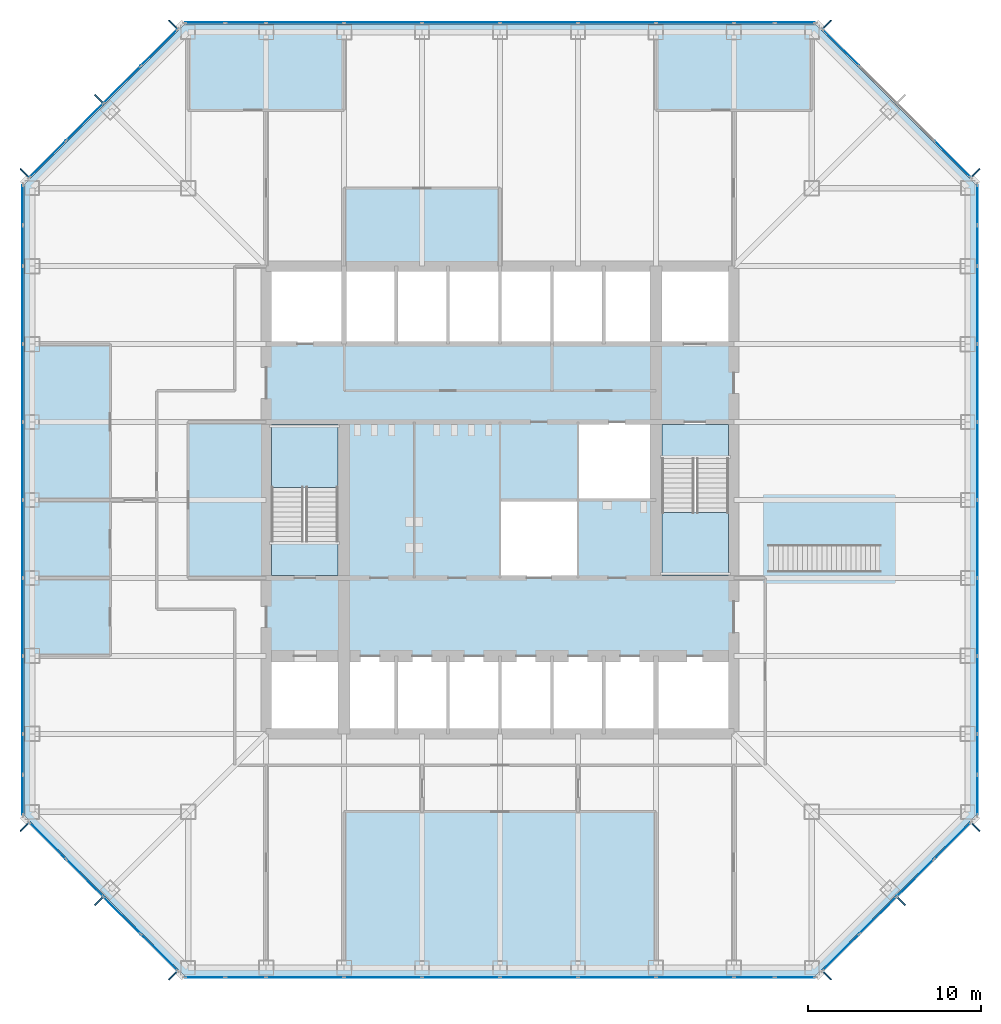
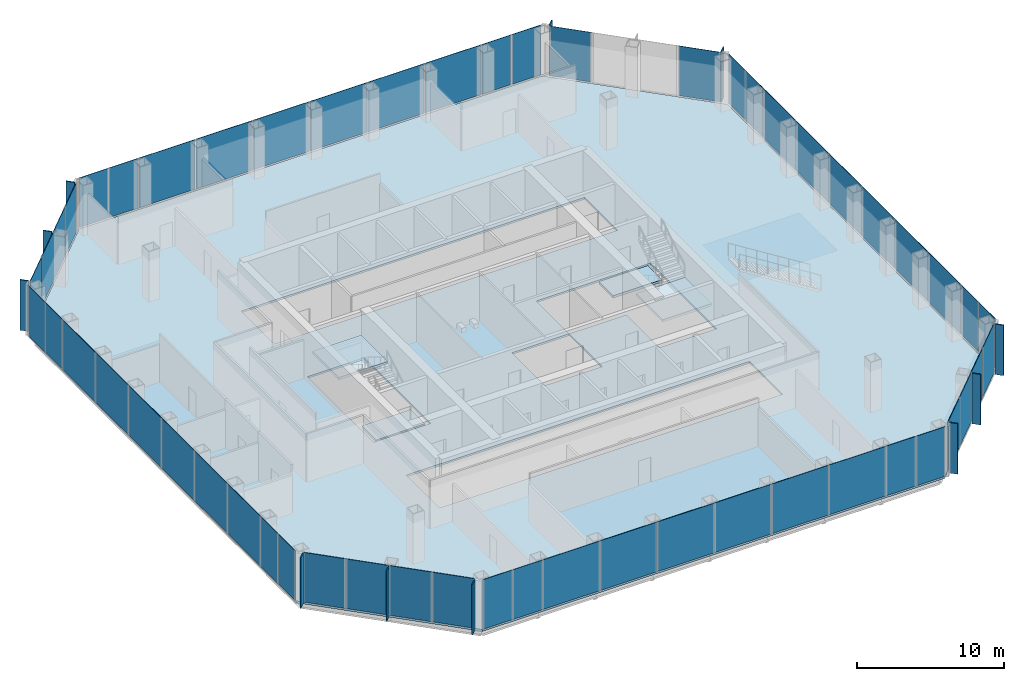
# One storey, part 7 of 12: 65 plates, 5 slabs, 10 elements without a shape of their own.
"""IFC4 building model written with IfcOpenShell, lengths in metres."""

from ifc_helpers import new_model, si_unit, direction, frame, origin, origin_2d, place, context, subcontext, project, spatial, polyline, rectangle, outline, extrude, material, layer, layer_set, type_object, element, aggregate, save


model = new_model("IFC4")

# Units and contexts
model_context = context("Model", 3, precision=1e-05, world=origin(), true_north=direction((0.0, 1.0)))
body_context = subcontext(model_context, "Body", "Model", "MODEL_VIEW")
ifc_project = project(units=[si_unit("LENGTHUNIT", "METRE"), si_unit("AREAUNIT", "SQUARE_METRE"), si_unit("VOLUMEUNIT", "CUBIC_METRE"), si_unit("PLANEANGLEUNIT", "RADIAN"), si_unit("MASSUNIT", "GRAM", prefix="KILO")], contexts=[model_context])

# Site, building, storey
site_placement = place(None, origin())
site = spatial("IfcSite", under=ifc_project, at=site_placement, CompositionType="ELEMENT")
building_placement = place(site_placement, origin())
building = spatial("IfcBuilding", under=site, at=building_placement, Name="Corais Broadcast Tower", CompositionType="ELEMENT")
storey_placement = place(building_placement, frame((0.0, 0.0, 29.0)))
storey = spatial("IfcBuildingStorey", under=building, at=storey_placement, Name="L05", CompositionType="ELEMENT", Elevation=29.0)

# Curtain wall, plates
ifc_material_1 = material(Name="Aluminium and glass", Category="aluminium")
curtain_wall_type = type_object("IfcCurtainWallType", Name="Newsroom clear-glass curtain wall CW7", PredefinedType="NOTDEFINED", material=ifc_material_1)
curtain_wall_1_placement = place(storey_placement, origin())
curtain_wall_1 = element("IfcCurtainWall", 1, at=curtain_wall_1_placement, inside=storey, type_object=curtain_wall_type, Name="CW7 curtain wall L05 1", PredefinedType="NOTDEFINED")
ifc_material_2 = material(Name="Clear low-iron laminated glass", Category="glass")
ifc_layer_1 = layer(ifc_material_2, 0.032958984375)
ifc_layer_set_1 = layer_set([ifc_layer_1], Name="Clear low-iron laminated glass")
plate_type_1 = type_object("IfcPlateType", Name="Clear glass panel CW7", PredefinedType="CURTAIN_PANEL", material=ifc_layer_set_1)
plate_1_placement = place(storey_placement, frame((7.330322265625, 0.891845703125, 0.06494140625), z_axis=(0.0, 0.0, 1.0), x_axis=(-0.707106781187, 0.707106781187, 0.0)))
plate_1 = element("IfcPlate", 2, at=plate_1_placement, type_object=plate_type_1, Name="CW7 panel 1", PredefinedType="CURTAIN_PANEL", context=body_context, shape_type="SweptSolid", body=[
    extrude(rectangle(XDim=2.9482421875, YDim=0.032958984375, at=origin_2d()), origin(), (0.0, 0.0, 1.0), 4.135009765625),
])
plate_2_placement = place(storey_placement, frame((3.0341796875, 5.18798828125, 0.06494140625), z_axis=(0.0, 0.0, 1.0), x_axis=(-0.707106781187, 0.707106781187, 0.0)))
plate_2 = element("IfcPlate", 3, at=plate_2_placement, type_object=plate_type_1, Name="CW7 panel 3", PredefinedType="CURTAIN_PANEL", context=body_context, shape_type="SweptSolid", body=[
    extrude(rectangle(XDim=2.98095703125, YDim=0.032958984375, at=origin_2d()), origin(), (0.0, 0.0, 1.0), 4.135009765625),
])

curtain_wall_2_placement = place(storey_placement, origin())
curtain_wall_2 = element("IfcCurtainWall", 4, at=curtain_wall_2_placement, inside=storey, type_object=curtain_wall_type, Name="CW7 curtain wall L05 2", PredefinedType="NOTDEFINED")
plate_3_placement = place(storey_placement, frame((-0.550048828125, 9.970458984375, 0.06494140625), z_axis=(0.0, 0.0, 1.0), x_axis=(0.0, 1.0, 0.0)))
plate_3 = element("IfcPlate", 5, at=plate_3_placement, type_object=plate_type_1, Name="CW7 panel 1", PredefinedType="CURTAIN_PANEL", context=body_context, shape_type="SweptSolid", body=[
    extrude(rectangle(XDim=2.266357421875, YDim=0.032958984375, at=origin_2d()), origin(), (0.0, 0.0, 1.0), 4.135009765625),
])
plate_4_placement = place(storey_placement, frame((-0.550048828125, 15.75, 0.06494140625), z_axis=(0.0, 0.0, 1.0), x_axis=(0.0, 1.0, 0.0)))
plate_4 = element("IfcPlate", 6, at=plate_4_placement, type_object=plate_type_1, Name="CW7 panel 3", PredefinedType="CURTAIN_PANEL", context=body_context, shape_type="SweptSolid", body=[
    extrude(rectangle(XDim=4.43505859375, YDim=0.032958984375, at=origin_2d()), origin(), (0.0, 0.0, 1.0), 4.135009765625),
])
plate_5_placement = place(storey_placement, frame((-0.550048828125, 24.75, 0.06494140625), z_axis=(0.0, 0.0, 1.0), x_axis=(0.0, 1.0, 0.0)))
plate_5 = element("IfcPlate", 7, at=plate_5_placement, type_object=plate_type_1, Name="CW7 panel 5", PredefinedType="CURTAIN_PANEL", context=body_context, shape_type="SweptSolid", body=[
    extrude(rectangle(XDim=4.43505859375, YDim=0.032958984375, at=origin_2d()), origin(), (0.0, 0.0, 1.0), 4.135009765625),
])
plate_6_placement = place(storey_placement, frame((-0.550048828125, 33.75, 0.06494140625), z_axis=(0.0, 0.0, 1.0), x_axis=(0.0, 1.0, 0.0)))
plate_6 = element("IfcPlate", 8, at=plate_6_placement, type_object=plate_type_1, Name="CW7 panel 7", PredefinedType="CURTAIN_PANEL", context=body_context, shape_type="SweptSolid", body=[
    extrude(rectangle(XDim=4.43505859375, YDim=0.032958984375, at=origin_2d()), origin(), (0.0, 0.0, 1.0), 4.135009765625),
])
plate_7_placement = place(storey_placement, frame((-0.550048828125, 41.681884765625, 0.06494140625), z_axis=(0.0, 0.0, 1.0), x_axis=(0.0, 1.0, 0.0)))
plate_7 = element("IfcPlate", 9, at=plate_7_placement, type_object=plate_type_1, Name="CW7 panel 9", PredefinedType="CURTAIN_PANEL", context=body_context, shape_type="SweptSolid", body=[
    extrude(rectangle(XDim=2.298828125, YDim=0.032958984375, at=origin_2d()), origin(), (0.0, 0.0, 1.0), 4.135009765625),
])

curtain_wall_3_placement = place(storey_placement, origin())
curtain_wall_3 = element("IfcCurtainWall", 10, at=curtain_wall_3_placement, inside=storey, type_object=curtain_wall_type, Name="CW7 curtain wall L05 3", PredefinedType="NOTDEFINED")
plate_8_placement = place(storey_placement, frame((0.891845703125, 46.669677734375, 0.06494140625), z_axis=(0.0, 0.0, 1.0), x_axis=(0.707106781187, 0.707106781187, 0.0)))
plate_8 = element("IfcPlate", 11, at=plate_8_placement, type_object=plate_type_1, Name="CW7 panel 1", PredefinedType="CURTAIN_PANEL", context=body_context, shape_type="SweptSolid", body=[
    extrude(rectangle(XDim=2.9482421875, YDim=0.032958984375, at=origin_2d()), origin(), (0.0, 0.0, 1.0), 4.135009765625),
])
plate_9_placement = place(storey_placement, frame((5.18798828125, 50.9658203125, 0.06494140625), z_axis=(0.0, 0.0, 1.0), x_axis=(0.707106781187, 0.707106781187, 0.0)))
plate_9 = element("IfcPlate", 12, at=plate_9_placement, type_object=plate_type_1, Name="CW7 panel 3", PredefinedType="CURTAIN_PANEL", context=body_context, shape_type="SweptSolid", body=[
    extrude(rectangle(XDim=2.98095703125, YDim=0.032958984375, at=origin_2d()), origin(), (0.0, 0.0, 1.0), 4.135009765625),
])

curtain_wall_4_placement = place(storey_placement, origin())
curtain_wall_4 = element("IfcCurtainWall", 13, at=curtain_wall_4_placement, inside=storey, type_object=curtain_wall_type, Name="CW7 curtain wall L05 4", PredefinedType="NOTDEFINED")
plate_10_placement = place(storey_placement, frame((9.970458984375, 54.550048828125, 0.06494140625), z_axis=(0.0, 0.0, 1.0), x_axis=(1.0, 0.0, 0.0)))
plate_10 = element("IfcPlate", 14, at=plate_10_placement, type_object=plate_type_1, Name="CW7 panel 1", PredefinedType="CURTAIN_PANEL", context=body_context, shape_type="SweptSolid", body=[
    extrude(rectangle(XDim=2.266357421875, YDim=0.032958984375, at=origin_2d()), origin(), (0.0, 0.0, 1.0), 4.135009765625),
])
plate_11_placement = place(storey_placement, frame((15.75, 54.550048828125, 0.06494140625), z_axis=(0.0, 0.0, 1.0), x_axis=(1.0, 0.0, 0.0)))
plate_11 = element("IfcPlate", 15, at=plate_11_placement, type_object=plate_type_1, Name="CW7 panel 3", PredefinedType="CURTAIN_PANEL", context=body_context, shape_type="SweptSolid", body=[
    extrude(rectangle(XDim=4.43505859375, YDim=0.032958984375, at=origin_2d()), origin(), (0.0, 0.0, 1.0), 4.135009765625),
])
plate_12_placement = place(storey_placement, frame((24.75, 54.550048828125, 0.06494140625), z_axis=(0.0, 0.0, 1.0), x_axis=(1.0, 0.0, 0.0)))
plate_12 = element("IfcPlate", 16, at=plate_12_placement, type_object=plate_type_1, Name="CW7 panel 5", PredefinedType="CURTAIN_PANEL", context=body_context, shape_type="SweptSolid", body=[
    extrude(rectangle(XDim=4.43505859375, YDim=0.032958984375, at=origin_2d()), origin(), (0.0, 0.0, 1.0), 4.135009765625),
])
plate_13_placement = place(storey_placement, frame((33.75, 54.550048828125, 0.06494140625), z_axis=(0.0, 0.0, 1.0), x_axis=(1.0, 0.0, 0.0)))
plate_13 = element("IfcPlate", 17, at=plate_13_placement, type_object=plate_type_1, Name="CW7 panel 7", PredefinedType="CURTAIN_PANEL", context=body_context, shape_type="SweptSolid", body=[
    extrude(rectangle(XDim=4.43505859375, YDim=0.032958984375, at=origin_2d()), origin(), (0.0, 0.0, 1.0), 4.135009765625),
])
plate_14_placement = place(storey_placement, frame((41.681884765625, 54.550048828125, 0.06494140625), z_axis=(0.0, 0.0, 1.0), x_axis=(1.0, 0.0, 0.0)))
plate_14 = element("IfcPlate", 18, at=plate_14_placement, type_object=plate_type_1, Name="CW7 panel 9", PredefinedType="CURTAIN_PANEL", context=body_context, shape_type="SweptSolid", body=[
    extrude(rectangle(XDim=2.298828125, YDim=0.032958984375, at=origin_2d()), origin(), (0.0, 0.0, 1.0), 4.135009765625),
])

# Curtain wall, plate
curtain_wall_5_placement = place(storey_placement, origin())
curtain_wall_5 = element("IfcCurtainWall", 19, at=curtain_wall_5_placement, inside=storey, type_object=curtain_wall_type, Name="CW7 curtain wall L05 5", PredefinedType="NOTDEFINED")
plate_15_placement = place(storey_placement, frame((46.669677734375, 53.108154296875, 0.06494140625), z_axis=(0.0, 0.0, 1.0), x_axis=(0.707106781187, -0.707106781187, 0.0)))
plate_15 = element("IfcPlate", 20, at=plate_15_placement, type_object=plate_type_1, Name="CW7 panel 1", PredefinedType="CURTAIN_PANEL", context=body_context, shape_type="SweptSolid", body=[
    extrude(rectangle(XDim=2.9482421875, YDim=0.032958984375, at=origin_2d()), origin(), (0.0, 0.0, 1.0), 4.135009765625),
])

# Curtain wall, plates
curtain_wall_6_placement = place(storey_placement, origin())
curtain_wall_6 = element("IfcCurtainWall", 21, at=curtain_wall_6_placement, inside=storey, type_object=curtain_wall_type, Name="CW7 curtain wall L05 6", PredefinedType="NOTDEFINED")
plate_16_placement = place(storey_placement, frame((54.550048828125, 44.029541015625, 0.06494140625), z_axis=(0.0, 0.0, 1.0), x_axis=(0.0, -1.0, 0.0)))
plate_16 = element("IfcPlate", 22, at=plate_16_placement, type_object=plate_type_1, Name="CW7 panel 1", PredefinedType="CURTAIN_PANEL", context=body_context, shape_type="SweptSolid", body=[
    extrude(rectangle(XDim=2.266357421875, YDim=0.032958984375, at=origin_2d()), origin(), (0.0, 0.0, 1.0), 4.135009765625),
])
plate_17_placement = place(storey_placement, frame((54.550048828125, 38.25, 0.06494140625), z_axis=(0.0, 0.0, 1.0), x_axis=(0.0, -1.0, 0.0)))
plate_17 = element("IfcPlate", 23, at=plate_17_placement, type_object=plate_type_1, Name="CW7 panel 3", PredefinedType="CURTAIN_PANEL", context=body_context, shape_type="SweptSolid", body=[
    extrude(rectangle(XDim=4.43505859375, YDim=0.032958984375, at=origin_2d()), origin(), (0.0, 0.0, 1.0), 4.135009765625),
])
plate_18_placement = place(storey_placement, frame((54.550048828125, 29.25, 0.06494140625), z_axis=(0.0, 0.0, 1.0), x_axis=(0.0, -1.0, 0.0)))
plate_18 = element("IfcPlate", 24, at=plate_18_placement, type_object=plate_type_1, Name="CW7 panel 5", PredefinedType="CURTAIN_PANEL", context=body_context, shape_type="SweptSolid", body=[
    extrude(rectangle(XDim=4.43505859375, YDim=0.032958984375, at=origin_2d()), origin(), (0.0, 0.0, 1.0), 4.135009765625),
])
plate_19_placement = place(storey_placement, frame((54.550048828125, 20.25, 0.06494140625), z_axis=(0.0, 0.0, 1.0), x_axis=(0.0, -1.0, 0.0)))
plate_19 = element("IfcPlate", 25, at=plate_19_placement, type_object=plate_type_1, Name="CW7 panel 7", PredefinedType="CURTAIN_PANEL", context=body_context, shape_type="SweptSolid", body=[
    extrude(rectangle(XDim=4.43505859375, YDim=0.032958984375, at=origin_2d()), origin(), (0.0, 0.0, 1.0), 4.135009765625),
])
plate_20_placement = place(storey_placement, frame((54.550048828125, 12.318115234375, 0.06494140625), z_axis=(0.0, 0.0, 1.0), x_axis=(0.0, -1.0, 0.0)))
plate_20 = element("IfcPlate", 26, at=plate_20_placement, type_object=plate_type_1, Name="CW7 panel 9", PredefinedType="CURTAIN_PANEL", context=body_context, shape_type="SweptSolid", body=[
    extrude(rectangle(XDim=2.298828125, YDim=0.032958984375, at=origin_2d()), origin(), (0.0, 0.0, 1.0), 4.135009765625),
])

curtain_wall_7_placement = place(storey_placement, origin())
curtain_wall_7 = element("IfcCurtainWall", 27, at=curtain_wall_7_placement, inside=storey, type_object=curtain_wall_type, Name="CW7 curtain wall L05 7", PredefinedType="NOTDEFINED")
plate_21_placement = place(storey_placement, frame((53.108154296875, 7.330322265625, 0.06494140625), z_axis=(0.0, 0.0, 1.0), x_axis=(-0.707106781187, -0.707106781187, 0.0)))
plate_21 = element("IfcPlate", 28, at=plate_21_placement, type_object=plate_type_1, Name="CW7 panel 1", PredefinedType="CURTAIN_PANEL", context=body_context, shape_type="SweptSolid", body=[
    extrude(rectangle(XDim=2.9482421875, YDim=0.032958984375, at=origin_2d()), origin(), (0.0, 0.0, 1.0), 4.135009765625),
])
plate_22_placement = place(storey_placement, frame((48.81201171875, 3.0341796875, 0.06494140625), z_axis=(0.0, 0.0, 1.0), x_axis=(-0.707106781187, -0.707106781187, 0.0)))
plate_22 = element("IfcPlate", 29, at=plate_22_placement, type_object=plate_type_1, Name="CW7 panel 3", PredefinedType="CURTAIN_PANEL", context=body_context, shape_type="SweptSolid", body=[
    extrude(rectangle(XDim=2.98095703125, YDim=0.032958984375, at=origin_2d()), origin(), (0.0, 0.0, 1.0), 4.135009765625),
])

curtain_wall_8_placement = place(storey_placement, origin())
curtain_wall_8 = element("IfcCurtainWall", 30, at=curtain_wall_8_placement, inside=storey, type_object=curtain_wall_type, Name="CW7 curtain wall L05 8", PredefinedType="NOTDEFINED")
plate_23_placement = place(storey_placement, frame((44.029541015625, -0.550048828125, 0.06494140625), z_axis=(0.0, 0.0, 1.0), x_axis=(-1.0, 0.0, 0.0)))
plate_23 = element("IfcPlate", 31, at=plate_23_placement, type_object=plate_type_1, Name="CW7 panel 1", PredefinedType="CURTAIN_PANEL", context=body_context, shape_type="SweptSolid", body=[
    extrude(rectangle(XDim=2.266357421875, YDim=0.032958984375, at=origin_2d()), origin(), (0.0, 0.0, 1.0), 4.135009765625),
])
plate_24_placement = place(storey_placement, frame((38.25, -0.550048828125, 0.06494140625), z_axis=(0.0, 0.0, 1.0), x_axis=(-1.0, 0.0, 0.0)))
plate_24 = element("IfcPlate", 32, at=plate_24_placement, type_object=plate_type_1, Name="CW7 panel 3", PredefinedType="CURTAIN_PANEL", context=body_context, shape_type="SweptSolid", body=[
    extrude(rectangle(XDim=4.43505859375, YDim=0.032958984375, at=origin_2d()), origin(), (0.0, 0.0, 1.0), 4.135009765625),
])
plate_25_placement = place(storey_placement, frame((29.25, -0.550048828125, 0.06494140625), z_axis=(0.0, 0.0, 1.0), x_axis=(-1.0, 0.0, 0.0)))
plate_25 = element("IfcPlate", 33, at=plate_25_placement, type_object=plate_type_1, Name="CW7 panel 5", PredefinedType="CURTAIN_PANEL", context=body_context, shape_type="SweptSolid", body=[
    extrude(rectangle(XDim=4.43505859375, YDim=0.032958984375, at=origin_2d()), origin(), (0.0, 0.0, 1.0), 4.135009765625),
])
plate_26_placement = place(storey_placement, frame((20.25, -0.550048828125, 0.06494140625), z_axis=(0.0, 0.0, 1.0), x_axis=(-1.0, 0.0, 0.0)))
plate_26 = element("IfcPlate", 34, at=plate_26_placement, type_object=plate_type_1, Name="CW7 panel 7", PredefinedType="CURTAIN_PANEL", context=body_context, shape_type="SweptSolid", body=[
    extrude(rectangle(XDim=4.43505859375, YDim=0.032958984375, at=origin_2d()), origin(), (0.0, 0.0, 1.0), 4.135009765625),
])
plate_27_placement = place(storey_placement, frame((12.318115234375, -0.550048828125, 0.06494140625), z_axis=(0.0, 0.0, 1.0), x_axis=(-1.0, 0.0, 0.0)))
plate_27 = element("IfcPlate", 35, at=plate_27_placement, type_object=plate_type_1, Name="CW7 panel 9", PredefinedType="CURTAIN_PANEL", context=body_context, shape_type="SweptSolid", body=[
    extrude(rectangle(XDim=2.298828125, YDim=0.032958984375, at=origin_2d()), origin(), (0.0, 0.0, 1.0), 4.135009765625),
])

# Slab
ifc_material_3 = material(Name="Concrete C30/37", Category="concrete")
ifc_layer_2 = layer(ifc_material_3, 0.159912109375)
ifc_layer_set_2 = layer_set([ifc_layer_2], Name="Concrete C30/37")
slab_type_1 = type_object("IfcSlabType", Name="Composite floor slab 160", PredefinedType="FLOOR", material=ifc_layer_set_2)
slab_1_placement = place(storey_placement, frame((0.0, 0.0, -0.159912109375)))
element("IfcSlab", 36, at=slab_1_placement, inside=storey, type_object=slab_type_1, Name="S160 floor slab L05", PredefinedType="FLOOR", context=body_context, shape_type="SweptSolid", body=[
    extrude(outline(polyline([(8.80126953125, -0.47998046875), (-0.47998046875, 8.80126953125), (-0.47998046875, 45.19873046875), (8.80126953125, 54.47998046875), (45.19873046875, 54.47998046875), (54.47998046875, 45.19873046875), (54.47998046875, 8.80126953125), (45.19873046875, -0.47998046875), (8.80126953125, -0.47998046875)]), holes=[polyline([(13.5, 18.0), (40.5, 18.0), (40.5, 13.5), (13.5, 13.5), (13.5, 18.0)]), polyline([(13.5, 22.5), (13.5, 31.5), (18.0, 31.5), (18.0, 22.5), (13.5, 22.5)]), polyline([(13.5, 40.5), (40.5, 40.5), (40.5, 36.0), (13.5, 36.0), (13.5, 40.5)]), polyline([(27.0, 22.5), (27.0, 27.0), (31.4951171875, 27.0), (31.4951171875, 27.0048828125), (31.5, 27.0048828125), (31.5, 31.5), (40.5, 31.5), (40.5, 22.5), (36.0, 22.5), (36.0, 27.0), (31.5048828125, 27.0), (31.5048828125, 26.9951171875), (31.5, 26.9951171875), (31.5, 22.5), (27.0, 22.5)])]), origin(), (0.0, 0.0, 1.0), 0.159912109375),
])

# Plate
ifc_material_4 = material(Name="Clear laminated glass", Category="glass")
ifc_layer_3 = layer(ifc_material_4, 0.037109375)
ifc_layer_set_3 = layer_set([ifc_layer_3], Name="Clear laminated glass")
plate_type_2 = type_object("IfcPlateType", Name="Operable glass panel CW7", PredefinedType="CURTAIN_PANEL", material=ifc_layer_set_3)
plate_28_placement = place(storey_placement, frame((5.18798828125, 3.0341796875, 0.06494140625), z_axis=(0.0, 0.0, 1.0), x_axis=(-0.707106781187, 0.707106781187, 0.0)))
plate_28 = element("IfcPlate", 37, at=plate_28_placement, type_object=plate_type_2, Name="CW7 operable panel 2", PredefinedType="CURTAIN_PANEL", context=body_context, shape_type="SweptSolid", body=[
    extrude(rectangle(XDim=2.98095703125, YDim=0.037109375, at=origin_2d()), origin(), (0.0, 0.0, 1.0), 4.135009765625),
])

plate_29_placement = place(storey_placement, frame((0.89208984375, 7.330322265625, 0.06494140625), z_axis=(0.0, 0.0, 1.0), x_axis=(-0.707106781187, 0.707106781187, 0.0)))
plate_29 = element("IfcPlate", 38, at=plate_29_placement, type_object=plate_type_2, Name="CW7 operable panel 4", PredefinedType="CURTAIN_PANEL", context=body_context, shape_type="SweptSolid", body=[
    extrude(rectangle(XDim=2.948486328125, YDim=0.037109375, at=origin_2d()), origin(), (0.0, 0.0, 1.0), 4.135009765625),
])

aggregate(curtain_wall_1, [plate_1, plate_28, plate_2, plate_29])

plate_30_placement = place(storey_placement, frame((-0.550048828125, 12.318115234375, 0.06494140625), z_axis=(0.0, 0.0, 1.0), x_axis=(0.0, 1.0, 0.0)))
plate_30 = element("IfcPlate", 39, at=plate_30_placement, type_object=plate_type_2, Name="CW7 operable panel 2", PredefinedType="CURTAIN_PANEL", context=body_context, shape_type="SweptSolid", body=[
    extrude(rectangle(XDim=2.298828125, YDim=0.037109375, at=origin_2d()), origin(), (0.0, 0.0, 1.0), 4.135009765625),
])

plate_31_placement = place(storey_placement, frame((-0.550048828125, 20.25, 0.06494140625), z_axis=(0.0, 0.0, 1.0), x_axis=(0.0, 1.0, 0.0)))
plate_31 = element("IfcPlate", 40, at=plate_31_placement, type_object=plate_type_2, Name="CW7 operable panel 4", PredefinedType="CURTAIN_PANEL", context=body_context, shape_type="SweptSolid", body=[
    extrude(rectangle(XDim=4.43505859375, YDim=0.037109375, at=origin_2d()), origin(), (0.0, 0.0, 1.0), 4.135009765625),
])

plate_32_placement = place(storey_placement, frame((-0.550048828125, 29.25, 0.06494140625), z_axis=(0.0, 0.0, 1.0), x_axis=(0.0, 1.0, 0.0)))
plate_32 = element("IfcPlate", 41, at=plate_32_placement, type_object=plate_type_2, Name="CW7 operable panel 6", PredefinedType="CURTAIN_PANEL", context=body_context, shape_type="SweptSolid", body=[
    extrude(rectangle(XDim=4.43505859375, YDim=0.037109375, at=origin_2d()), origin(), (0.0, 0.0, 1.0), 4.135009765625),
])

plate_33_placement = place(storey_placement, frame((-0.550048828125, 38.25, 0.06494140625), z_axis=(0.0, 0.0, 1.0), x_axis=(0.0, 1.0, 0.0)))
plate_33 = element("IfcPlate", 42, at=plate_33_placement, type_object=plate_type_2, Name="CW7 operable panel 8", PredefinedType="CURTAIN_PANEL", context=body_context, shape_type="SweptSolid", body=[
    extrude(rectangle(XDim=4.43505859375, YDim=0.037109375, at=origin_2d()), origin(), (0.0, 0.0, 1.0), 4.135009765625),
])

plate_34_placement = place(storey_placement, frame((-0.550048828125, 44.029541015625, 0.06494140625), z_axis=(0.0, 0.0, 1.0), x_axis=(0.0, 1.0, 0.0)))
plate_34 = element("IfcPlate", 43, at=plate_34_placement, type_object=plate_type_2, Name="CW7 operable panel 10", PredefinedType="CURTAIN_PANEL", context=body_context, shape_type="SweptSolid", body=[
    extrude(rectangle(XDim=2.266357421875, YDim=0.037109375, at=origin_2d()), origin(), (0.0, 0.0, 1.0), 4.135009765625),
])

aggregate(curtain_wall_2, [plate_3, plate_30, plate_4, plate_31, plate_5, plate_32, plate_6, plate_33, plate_7, plate_34])

plate_35_placement = place(storey_placement, frame((3.0341796875, 48.81201171875, 0.06494140625), z_axis=(0.0, 0.0, 1.0), x_axis=(0.707106781187, 0.707106781187, 0.0)))
plate_35 = element("IfcPlate", 44, at=plate_35_placement, type_object=plate_type_2, Name="CW7 operable panel 2", PredefinedType="CURTAIN_PANEL", context=body_context, shape_type="SweptSolid", body=[
    extrude(rectangle(XDim=2.98095703125, YDim=0.037109375, at=origin_2d()), origin(), (0.0, 0.0, 1.0), 4.135009765625),
])

plate_36_placement = place(storey_placement, frame((7.330322265625, 53.10791015625, 0.06494140625), z_axis=(0.0, 0.0, 1.0), x_axis=(0.707106781187, 0.707106781187, 0.0)))
plate_36 = element("IfcPlate", 45, at=plate_36_placement, type_object=plate_type_2, Name="CW7 operable panel 4", PredefinedType="CURTAIN_PANEL", context=body_context, shape_type="SweptSolid", body=[
    extrude(rectangle(XDim=2.948486328125, YDim=0.037109375, at=origin_2d()), origin(), (0.0, 0.0, 1.0), 4.135009765625),
])

aggregate(curtain_wall_3, [plate_8, plate_35, plate_9, plate_36])

plate_37_placement = place(storey_placement, frame((12.318115234375, 54.550048828125, 0.06494140625), z_axis=(0.0, 0.0, 1.0), x_axis=(1.0, 0.0, 0.0)))
plate_37 = element("IfcPlate", 46, at=plate_37_placement, type_object=plate_type_2, Name="CW7 operable panel 2", PredefinedType="CURTAIN_PANEL", context=body_context, shape_type="SweptSolid", body=[
    extrude(rectangle(XDim=2.298828125, YDim=0.037109375, at=origin_2d()), origin(), (0.0, 0.0, 1.0), 4.135009765625),
])

plate_38_placement = place(storey_placement, frame((20.25, 54.550048828125, 0.06494140625), z_axis=(0.0, 0.0, 1.0), x_axis=(1.0, 0.0, 0.0)))
plate_38 = element("IfcPlate", 47, at=plate_38_placement, type_object=plate_type_2, Name="CW7 operable panel 4", PredefinedType="CURTAIN_PANEL", context=body_context, shape_type="SweptSolid", body=[
    extrude(rectangle(XDim=4.43505859375, YDim=0.037109375, at=origin_2d()), origin(), (0.0, 0.0, 1.0), 4.135009765625),
])

plate_39_placement = place(storey_placement, frame((29.25, 54.550048828125, 0.06494140625), z_axis=(0.0, 0.0, 1.0), x_axis=(1.0, 0.0, 0.0)))
plate_39 = element("IfcPlate", 48, at=plate_39_placement, type_object=plate_type_2, Name="CW7 operable panel 6", PredefinedType="CURTAIN_PANEL", context=body_context, shape_type="SweptSolid", body=[
    extrude(rectangle(XDim=4.43505859375, YDim=0.037109375, at=origin_2d()), origin(), (0.0, 0.0, 1.0), 4.135009765625),
])

plate_40_placement = place(storey_placement, frame((38.25, 54.550048828125, 0.06494140625), z_axis=(0.0, 0.0, 1.0), x_axis=(1.0, 0.0, 0.0)))
plate_40 = element("IfcPlate", 49, at=plate_40_placement, type_object=plate_type_2, Name="CW7 operable panel 8", PredefinedType="CURTAIN_PANEL", context=body_context, shape_type="SweptSolid", body=[
    extrude(rectangle(XDim=4.43505859375, YDim=0.037109375, at=origin_2d()), origin(), (0.0, 0.0, 1.0), 4.135009765625),
])

plate_41_placement = place(storey_placement, frame((44.029541015625, 54.550048828125, 0.06494140625), z_axis=(0.0, 0.0, 1.0), x_axis=(1.0, 0.0, 0.0)))
plate_41 = element("IfcPlate", 50, at=plate_41_placement, type_object=plate_type_2, Name="CW7 operable panel 10", PredefinedType="CURTAIN_PANEL", context=body_context, shape_type="SweptSolid", body=[
    extrude(rectangle(XDim=2.266357421875, YDim=0.037109375, at=origin_2d()), origin(), (0.0, 0.0, 1.0), 4.135009765625),
])

aggregate(curtain_wall_4, [plate_10, plate_37, plate_11, plate_38, plate_12, plate_39, plate_13, plate_40, plate_14, plate_41])

plate_42_placement = place(storey_placement, frame((53.10791015625, 46.669677734375, 0.06494140625), z_axis=(0.0, 0.0, 1.0), x_axis=(0.707106781187, -0.707106781187, 0.0)))
plate_42 = element("IfcPlate", 51, at=plate_42_placement, type_object=plate_type_2, Name="CW7 operable panel 4", PredefinedType="CURTAIN_PANEL", context=body_context, shape_type="SweptSolid", body=[
    extrude(rectangle(XDim=2.948486328125, YDim=0.037109375, at=origin_2d()), origin(), (0.0, 0.0, 1.0), 4.135009765625),
])

aggregate(curtain_wall_5, [plate_15, plate_42])

plate_43_placement = place(storey_placement, frame((54.550048828125, 41.681884765625, 0.06494140625), z_axis=(0.0, 0.0, 1.0), x_axis=(0.0, -1.0, 0.0)))
plate_43 = element("IfcPlate", 52, at=plate_43_placement, type_object=plate_type_2, Name="CW7 operable panel 2", PredefinedType="CURTAIN_PANEL", context=body_context, shape_type="SweptSolid", body=[
    extrude(rectangle(XDim=2.298828125, YDim=0.037109375, at=origin_2d()), origin(), (0.0, 0.0, 1.0), 4.135009765625),
])

plate_44_placement = place(storey_placement, frame((54.550048828125, 33.75, 0.06494140625), z_axis=(0.0, 0.0, 1.0), x_axis=(0.0, -1.0, 0.0)))
plate_44 = element("IfcPlate", 53, at=plate_44_placement, type_object=plate_type_2, Name="CW7 operable panel 4", PredefinedType="CURTAIN_PANEL", context=body_context, shape_type="SweptSolid", body=[
    extrude(rectangle(XDim=4.43505859375, YDim=0.037109375, at=origin_2d()), origin(), (0.0, 0.0, 1.0), 4.135009765625),
])

plate_45_placement = place(storey_placement, frame((54.550048828125, 24.75, 0.06494140625), z_axis=(0.0, 0.0, 1.0), x_axis=(0.0, -1.0, 0.0)))
plate_45 = element("IfcPlate", 54, at=plate_45_placement, type_object=plate_type_2, Name="CW7 operable panel 6", PredefinedType="CURTAIN_PANEL", context=body_context, shape_type="SweptSolid", body=[
    extrude(rectangle(XDim=4.43505859375, YDim=0.037109375, at=origin_2d()), origin(), (0.0, 0.0, 1.0), 4.135009765625),
])

plate_46_placement = place(storey_placement, frame((54.550048828125, 15.75, 0.06494140625), z_axis=(0.0, 0.0, 1.0), x_axis=(0.0, -1.0, 0.0)))
plate_46 = element("IfcPlate", 55, at=plate_46_placement, type_object=plate_type_2, Name="CW7 operable panel 8", PredefinedType="CURTAIN_PANEL", context=body_context, shape_type="SweptSolid", body=[
    extrude(rectangle(XDim=4.43505859375, YDim=0.037109375, at=origin_2d()), origin(), (0.0, 0.0, 1.0), 4.135009765625),
])

plate_47_placement = place(storey_placement, frame((54.550048828125, 9.970458984375, 0.06494140625), z_axis=(0.0, 0.0, 1.0), x_axis=(0.0, -1.0, 0.0)))
plate_47 = element("IfcPlate", 56, at=plate_47_placement, type_object=plate_type_2, Name="CW7 operable panel 10", PredefinedType="CURTAIN_PANEL", context=body_context, shape_type="SweptSolid", body=[
    extrude(rectangle(XDim=2.266357421875, YDim=0.037109375, at=origin_2d()), origin(), (0.0, 0.0, 1.0), 4.135009765625),
])

aggregate(curtain_wall_6, [plate_16, plate_43, plate_17, plate_44, plate_18, plate_45, plate_19, plate_46, plate_20, plate_47])

plate_48_placement = place(storey_placement, frame((50.9658203125, 5.18798828125, 0.06494140625), z_axis=(0.0, 0.0, 1.0), x_axis=(-0.707106781187, -0.707106781187, 0.0)))
plate_48 = element("IfcPlate", 57, at=plate_48_placement, type_object=plate_type_2, Name="CW7 operable panel 2", PredefinedType="CURTAIN_PANEL", context=body_context, shape_type="SweptSolid", body=[
    extrude(rectangle(XDim=2.98095703125, YDim=0.037109375, at=origin_2d()), origin(), (0.0, 0.0, 1.0), 4.135009765625),
])

plate_49_placement = place(storey_placement, frame((46.669677734375, 0.89208984375, 0.06494140625), z_axis=(0.0, 0.0, 1.0), x_axis=(-0.707106781187, -0.707106781187, 0.0)))
plate_49 = element("IfcPlate", 58, at=plate_49_placement, type_object=plate_type_2, Name="CW7 operable panel 4", PredefinedType="CURTAIN_PANEL", context=body_context, shape_type="SweptSolid", body=[
    extrude(rectangle(XDim=2.948486328125, YDim=0.037109375, at=origin_2d()), origin(), (0.0, 0.0, 1.0), 4.135009765625),
])

aggregate(curtain_wall_7, [plate_21, plate_48, plate_22, plate_49])

plate_50_placement = place(storey_placement, frame((41.681884765625, -0.550048828125, 0.06494140625), z_axis=(0.0, 0.0, 1.0), x_axis=(-1.0, 0.0, 0.0)))
plate_50 = element("IfcPlate", 59, at=plate_50_placement, type_object=plate_type_2, Name="CW7 operable panel 2", PredefinedType="CURTAIN_PANEL", context=body_context, shape_type="SweptSolid", body=[
    extrude(rectangle(XDim=2.298828125, YDim=0.037109375, at=origin_2d()), origin(), (0.0, 0.0, 1.0), 4.135009765625),
])

plate_51_placement = place(storey_placement, frame((33.75, -0.550048828125, 0.06494140625), z_axis=(0.0, 0.0, 1.0), x_axis=(-1.0, 0.0, 0.0)))
plate_51 = element("IfcPlate", 60, at=plate_51_placement, type_object=plate_type_2, Name="CW7 operable panel 4", PredefinedType="CURTAIN_PANEL", context=body_context, shape_type="SweptSolid", body=[
    extrude(rectangle(XDim=4.43505859375, YDim=0.037109375, at=origin_2d()), origin(), (0.0, 0.0, 1.0), 4.135009765625),
])

plate_52_placement = place(storey_placement, frame((24.75, -0.550048828125, 0.06494140625), z_axis=(0.0, 0.0, 1.0), x_axis=(-1.0, 0.0, 0.0)))
plate_52 = element("IfcPlate", 61, at=plate_52_placement, type_object=plate_type_2, Name="CW7 operable panel 6", PredefinedType="CURTAIN_PANEL", context=body_context, shape_type="SweptSolid", body=[
    extrude(rectangle(XDim=4.43505859375, YDim=0.037109375, at=origin_2d()), origin(), (0.0, 0.0, 1.0), 4.135009765625),
])

plate_53_placement = place(storey_placement, frame((15.75, -0.550048828125, 0.06494140625), z_axis=(0.0, 0.0, 1.0), x_axis=(-1.0, 0.0, 0.0)))
plate_53 = element("IfcPlate", 62, at=plate_53_placement, type_object=plate_type_2, Name="CW7 operable panel 8", PredefinedType="CURTAIN_PANEL", context=body_context, shape_type="SweptSolid", body=[
    extrude(rectangle(XDim=4.43505859375, YDim=0.037109375, at=origin_2d()), origin(), (0.0, 0.0, 1.0), 4.135009765625),
])

plate_54_placement = place(storey_placement, frame((9.970458984375, -0.550048828125, 0.06494140625), z_axis=(0.0, 0.0, 1.0), x_axis=(-1.0, 0.0, 0.0)))
plate_54 = element("IfcPlate", 63, at=plate_54_placement, type_object=plate_type_2, Name="CW7 operable panel 10", PredefinedType="CURTAIN_PANEL", context=body_context, shape_type="SweptSolid", body=[
    extrude(rectangle(XDim=2.266357421875, YDim=0.037109375, at=origin_2d()), origin(), (0.0, 0.0, 1.0), 4.135009765625),
])

aggregate(curtain_wall_8, [plate_23, plate_50, plate_24, plate_51, plate_25, plate_52, plate_26, plate_53, plate_27, plate_54])

# Stair, slabs
ifc_material_5 = material(Name="Concrete C30/37", Category="concrete")
stair_type = type_object("IfcStairType", Name="Half-turn stair 4200", PredefinedType="HALF_TURN_STAIR", material=ifc_material_5)
stair_1_placement = place(storey_placement, origin())
stair_1 = element("IfcStair", 64, at=stair_1_placement, inside=storey, type_object=stair_type, Name="Stair A L05", PredefinedType="HALF_TURN_STAIR")
ifc_material_6 = material(Name="Concrete C30/37", Category="concrete")
ifc_layer_4 = layer(ifc_material_6, 0.199951171875)
ifc_layer_set_4 = layer_set([ifc_layer_4], Name="Concrete C30/37")
slab_type_2 = type_object("IfcSlabType", Name="Stair landing 200", PredefinedType="LANDING", material=ifc_layer_set_4)
slab_2_placement = place(storey_placement, frame((0.0, 0.0, -0.199951171875)))
slab_2 = element("IfcSlab", 65, at=slab_2_placement, type_object=slab_type_2, Name="STA landing 1", PredefinedType="LANDING", context=body_context, shape_type="SweptSolid", body=[
    extrude(outline(polyline([(13.800048828125, 22.64990234375), (17.64990234375, 22.64990234375), (17.64990234375, 24.60009765625), (13.800048828125, 24.60009765625), (13.800048828125, 22.64990234375)])), origin(), (0.0, 0.0, 1.0), 0.199951171875),
])
slab_3_placement = place(storey_placement, frame((0.0, 0.0, 1.89990234375)))
slab_3 = element("IfcSlab", 66, at=slab_3_placement, type_object=slab_type_2, Name="STA landing 2", PredefinedType="LANDING", context=body_context, shape_type="SweptSolid", body=[
    extrude(outline(polyline([(13.800048828125, 27.735107421875), (17.64990234375, 27.735107421875), (17.64990234375, 31.35009765625), (13.800048828125, 31.35009765625), (13.800048828125, 27.735107421875)])), origin(), (0.0, 0.0, 1.0), 0.2001953125),
])
aggregate(stair_1, [slab_2, slab_3])

stair_2_placement = place(storey_placement, origin())
stair_2 = element("IfcStair", 67, at=stair_2_placement, inside=storey, type_object=stair_type, Name="Stair B L05", PredefinedType="HALF_TURN_STAIR")
slab_4_placement = place(storey_placement, frame((0.0, 0.0, -0.199951171875)))
slab_4 = element("IfcSlab", 68, at=slab_4_placement, type_object=slab_type_2, Name="STB landing 1", PredefinedType="LANDING", context=body_context, shape_type="SweptSolid", body=[
    extrude(outline(polyline([(36.35009765625, 29.39990234375), (40.199951171875, 29.39990234375), (40.199951171875, 31.35009765625), (36.35009765625, 31.35009765625), (36.35009765625, 29.39990234375)])), origin(), (0.0, 0.0, 1.0), 0.199951171875),
])
slab_5_placement = place(storey_placement, frame((0.0, 0.0, 1.89990234375)))
slab_5 = element("IfcSlab", 69, at=slab_5_placement, type_object=slab_type_2, Name="STB landing 2", PredefinedType="LANDING", context=body_context, shape_type="SweptSolid", body=[
    extrude(outline(polyline([(36.35009765625, 22.64990234375), (40.199951171875, 22.64990234375), (40.199951171875, 26.264892578125), (36.35009765625, 26.264892578125), (36.35009765625, 22.64990234375)])), origin(), (0.0, 0.0, 1.0), 0.2001953125),
])
aggregate(stair_2, [slab_4, slab_5])

# Plates
ifc_material_7 = material(Name="Granite stone cladding", Category="masonry")
ifc_layer_5 = layer(ifc_material_7, 0.080078125)
ifc_layer_set_5 = layer_set([ifc_layer_5], Name="Granite stone cladding")
plate_type_3 = type_object("IfcPlateType", Name="Stone screen fin 80x600", PredefinedType="USERDEFINED", material=ifc_layer_set_5)
for number, where, z_axis, x_axis, name in (
    (70, (8.10791015625, -0.461181640625, 0.0), (0.0, 0.0, 1.0), (-0.707106781187, 0.707106781187, 0.0), "SF1 stone screen fin L05"),
    (71, (3.8232421875, 3.8232421875, 0.0), (0.0, 0.0, 1.0), (-0.707106781187, 0.707106781187, 0.0), "SF1 stone screen fin L05"),
    (72, (-0.461181640625, 8.10791015625, 0.0), (0.0, 0.0, 1.0), (-0.707106781187, 0.707106781187, 0.0), "SF1 stone screen fin L05"),
    (73, (-0.461181640625, 45.89208984375, 0.0), (0.0, 0.0, 1.0), (0.707106781187, 0.707106781187, 0.0), "SF1 stone screen fin L05"),
    (74, (3.8232421875, 50.1767578125, 0.0), (0.0, 0.0, 1.0), (0.707106781187, 0.707106781187, 0.0), "SF1 stone screen fin L05"),
    (75, (8.10791015625, 54.461181640625, 0.0), (0.0, 0.0, 1.0), (0.707106781187, 0.707106781187, 0.0), "SF1 stone screen fin L05"),
    (76, (45.89208984375, 54.461181640625, 0.0), (0.0, 0.0, 1.0), (0.707106781187, -0.707106781187, 0.0), "SF1 stone screen fin L05"),
    (77, (54.461181640625, 45.89208984375, 0.0), (0.0, 0.0, 1.0), (0.707106781187, -0.707106781187, 0.0), "SF1 stone screen fin L05"),
    (78, (54.461181640625, 8.10791015625, 0.0), (0.0, 0.0, 1.0), (-0.707106781187, -0.707106781187, 0.0), "SF1 stone screen fin L05"),
    (79, (50.1767578125, 3.8232421875, 0.0), (0.0, 0.0, 1.0), (-0.707106781187, -0.707106781187, 0.0), "SF1 stone screen fin L05"),
    (80, (45.89208984375, -0.461181640625, 0.0), (0.0, 0.0, 1.0), (-0.707106781187, -0.707106781187, 0.0), "SF1 stone screen fin L05"),
):
    element("IfcPlate", number, at=place(storey_placement, frame(where, z_axis=z_axis, x_axis=x_axis)), inside=storey, type_object=plate_type_3, Name=name, ObjectType="STONE SCREEN FIN", PredefinedType="USERDEFINED", context=body_context, shape_type="SweptSolid", body=[
        extrude(rectangle(XDim=0.080078125, YDim=0.60009765625, at=origin_2d()), origin(), (0.0, 0.0, 1.0), 4.199951171875),
    ])

save(model, "model.ifc")
